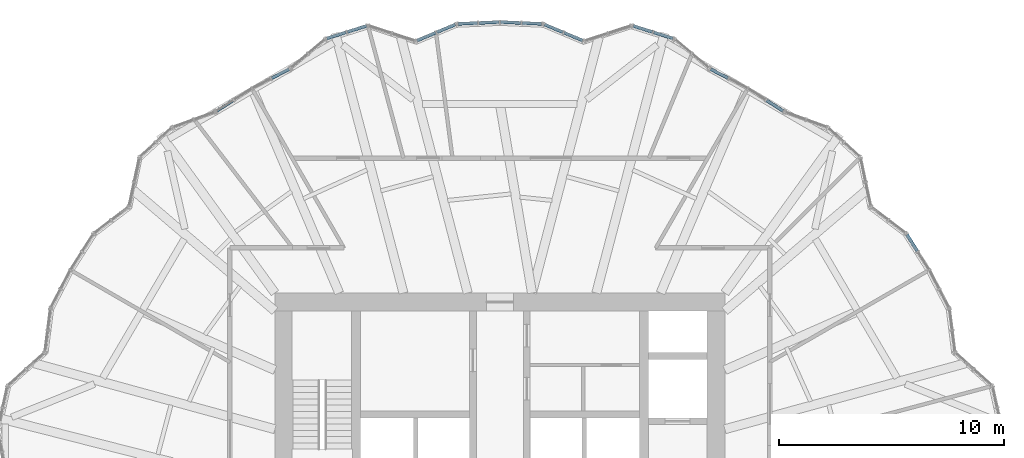
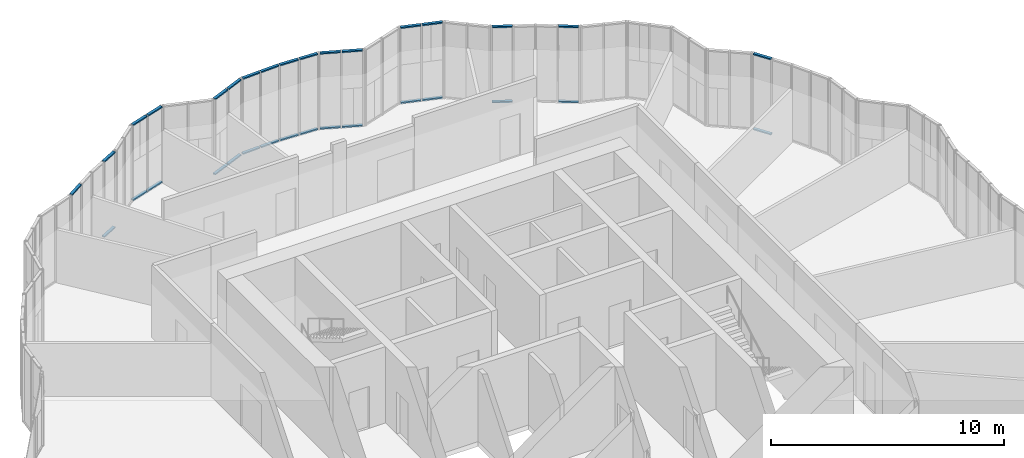
# One storey, part 12 of 23: 33 members, 11 elements without a shape of their own.
"""IFC4 building model written with IfcOpenShell, lengths in metres."""

import ifcopenshell
import ifcopenshell.guid

model = None  # the IFC model being written
_history = None  # IfcOwnerHistory: only IFC2X3 demands one
_inside = {}  # id of a spatial element -> (the spatial element, [elements in it])
_under = {}  # id of a project, library or spatial element -> (it, [spatial elements below it])
_declared = {}  # id of a project -> (the project, [libraries it declares])
_typed = {}  # id of a type object -> (the type object, [elements of that type])
_made_of = {}  # id of a material, layer set ... -> (it, [elements and type objects made of it])


def new_model(schema):
    """Start an empty IFC model of exactly this schema.

    Asked for "IFC4X3", IfcOpenShell would pick the latest addendum, in which some entities
    have other attributes; the version numbers below select the first issue.
    IFC2X3 requires an IfcOwnerHistory on every rooted entity: one is made here for all.
    """
    global model, _history
    if schema == "IFC4X3":
        model = ifcopenshell.file(schema_version=(4, 3, 0, 0))
    else:
        model = ifcopenshell.file(schema=schema)
    _inside.clear()
    _under.clear()
    _declared.clear()
    _typed.clear()
    _made_of.clear()
    _history = None
    if model.schema == "IFC2X3":
        org = make("IfcOrganization", Name="unknown")
        user = make(
            "IfcPersonAndOrganization",
            ThePerson=make("IfcPerson", FamilyName="unknown"),
            TheOrganization=org,
        )
        app = make(
            "IfcApplication",
            ApplicationDeveloper=org,
            Version="unknown",
            ApplicationFullName="unknown",
            ApplicationIdentifier="unknown",
        )
        _history = make(
            "IfcOwnerHistory",
            OwningUser=user,
            OwningApplication=app,
            ChangeAction="ADDED",
            CreationDate=0,
        )
    return model


def make(cls, **values):
    """One entity of the class cls with the attributes given. An attribute that is None is left unset."""
    return model.create_entity(
        cls, **{name: value for name, value in values.items() if value is not None}
    )


def rooted(cls, **values):
    """An entity with a GlobalId (a new one), such as an element, a storey or a relation."""
    return make(cls, GlobalId=ifcopenshell.guid.new(), OwnerHistory=_history, **values)


def si_unit(unit_type, name, prefix=None):
    """IfcSIUnit, for example si_unit("LENGTHUNIT", "METRE", prefix="MILLI")."""
    return make("IfcSIUnit", UnitType=unit_type, Prefix=prefix, Name=name)


def assignment(units):
    """IfcUnitAssignment: the units of a project."""
    return None if units is None else make("IfcUnitAssignment", Units=units)


def point(xyz):
    """IfcCartesianPoint."""
    return None if xyz is None else make("IfcCartesianPoint", Coordinates=xyz)


def direction(xyz):
    """IfcDirection."""
    return None if xyz is None else make("IfcDirection", DirectionRatios=xyz)


def frame(location, z_axis=None, x_axis=None):
    """IfcAxis2Placement3D, a coordinate frame: its origin and axes. An axis left out is left unset."""
    return make(
        "IfcAxis2Placement3D",
        Location=point(location),
        Axis=direction(z_axis),
        RefDirection=direction(x_axis),
    )


def frame_2d(location, x_axis=None):
    """IfcAxis2Placement2D, a coordinate frame in the plane: its origin and x axis."""
    return make(
        "IfcAxis2Placement2D", Location=point(location), RefDirection=direction(x_axis)
    )


def origin():
    """The frame at (0, 0, 0) with its axes left unset."""
    return frame((0.0, 0.0, 0.0))


def origin_2d():
    """The frame at (0, 0) in the plane with its x axis left unset."""
    return frame_2d((0.0, 0.0))


def place(relative_to, where):
    """IfcLocalPlacement: puts the frame where relative to a parent placement (None: the world)."""
    return make(
        "IfcLocalPlacement", PlacementRelTo=relative_to, RelativePlacement=where
    )


def context(
    kind, dimensions, precision=None, world=None, true_north=None, identifier=None
):
    """IfcGeometricRepresentationContext, for example the 3D "Model" context."""
    return make(
        "IfcGeometricRepresentationContext",
        ContextIdentifier=identifier,
        ContextType=kind,
        CoordinateSpaceDimension=dimensions,
        Precision=precision,
        WorldCoordinateSystem=world,
        TrueNorth=true_north,
    )


def subcontext(parent, identifier, kind, view, scale=None):
    """IfcGeometricRepresentationSubContext, for example "Body" below "Model"."""
    return make(
        "IfcGeometricRepresentationSubContext",
        ContextIdentifier=identifier,
        ContextType=kind,
        ParentContext=parent,
        TargetScale=scale,
        TargetView=view,
    )


def project(units=None, contexts=None):
    """IfcProject with its units and contexts."""
    return rooted(
        "IfcProject",
        Name="project",
        RepresentationContexts=contexts,
        UnitsInContext=assignment(units),
    )


def spatial(cls, under=None, at=None, **own):
    """A site, building, storey or space (cls), placed at a placement, below another one or the project."""
    s = rooted(cls, ObjectPlacement=at, **own)
    if under is not None:
        _under.setdefault(under.id(), (under, []))[1].append(s)
    return s


def profile(cls, at=None, kind="AREA", **sizes):
    """A parametric profile (cls). Its sizes go by their IFC names, for example OverallWidth=200.0."""
    return make(cls, ProfileType=kind, Position=at, **sizes)


def rectangle(**sizes):
    """IfcRectangleProfileDef."""
    return profile("IfcRectangleProfileDef", **sizes)


def extrude(swept, where, along, depth):
    """IfcExtrudedAreaSolid: the profile swept, set in the frame where, extruded along a direction by depth."""
    return make(
        "IfcExtrudedAreaSolid",
        SweptArea=swept,
        Position=where,
        ExtrudedDirection=direction(along),
        Depth=depth,
    )


def shape(context_of_items, identifier, shape_type, items):
    """IfcShapeRepresentation: the items that make up one representation, for example the "Body"."""
    return make(
        "IfcShapeRepresentation",
        ContextOfItems=context_of_items,
        RepresentationIdentifier=identifier,
        RepresentationType=shape_type,
        Items=items,
    )


def material(Name=None, Category=None):
    """IfcMaterial."""
    return make("IfcMaterial", Name=Name, Category=Category)


def material_profile(
    of_material, cross_section, Name=None, Category=None, Priority=None
):
    """IfcMaterialProfile: a cross section and its material."""
    return make(
        "IfcMaterialProfile",
        Name=Name,
        Material=of_material,
        Profile=cross_section,
        Priority=Priority,
        Category=Category,
    )


def profile_set(profiles, Name=None, composite=None):
    """IfcMaterialProfileSet."""
    return make(
        "IfcMaterialProfileSet",
        Name=Name,
        MaterialProfiles=profiles,
        CompositeProfile=composite,
    )


def made_of(thing, what):
    """Note that an element or type object is made of a material, layer set ...; save() writes the relation."""
    if what is not None:
        _made_of.setdefault(what.id(), (what, []))[1].append(thing)
    return thing


def type_object(cls, material=None, **own):
    """A type object (cls), such as IfcWallType, which elements share."""
    return made_of(rooted(cls, **own), material)


def element(
    cls,
    number,
    at=None,
    inside=None,
    cuts=None,
    type_object=None,
    material=None,
    context=None,
    identifier="Body",
    shape_type=None,
    held_by="IfcProductDefinitionShape",
    body=None,
    shapes=None,
    **own,
):
    """One element of the class cls, such as IfcWall. Its Tag is "e" and its number.

    at: its placement. inside: the storey or other place that contains it. cuts: it is an
    opening in that element (IfcRelVoidsElement). A single representation is given by context,
    identifier, shape_type and body (its items); several are given by shapes. held_by: the class
    of the entity that holds the representations. save() writes the other relations.
    """
    e = rooted(cls, Tag="e%d" % number, ObjectPlacement=at, **own)
    if body is not None:
        shapes = [shape(context, identifier, shape_type, body)]
    if shapes is not None:
        e.Representation = make(held_by, Representations=shapes)
    if inside is not None:
        _inside.setdefault(inside.id(), (inside, []))[1].append(e)
    if cuts is not None:
        rooted(
            "IfcRelVoidsElement", RelatingBuildingElement=cuts, RelatedOpeningElement=e
        )
    if type_object is not None:
        _typed.setdefault(type_object.id(), (type_object, []))[1].append(e)
    return made_of(e, material)


def aggregate(whole, parts):
    """IfcRelAggregates: a whole, such as a stair, and the parts it consists of."""
    return rooted("IfcRelAggregates", RelatingObject=whole, RelatedObjects=parts)


def save(model, path):
    """Write the relations noted so far, then the file.

    IfcRelAggregates (storeys below a building ...), IfcRelContainedInSpatialStructure (elements
    in a storey), IfcRelDefinesByType, IfcRelAssociatesMaterial and IfcRelDeclares: one each for
    every whole, place, type object, material and project.
    """
    for whole, parts in _under.values():
        aggregate(whole, parts)
    for where, things in _inside.values():
        rooted(
            "IfcRelContainedInSpatialStructure",
            RelatedElements=things,
            RelatingStructure=where,
        )
    for kind, things in _typed.values():
        rooted("IfcRelDefinesByType", RelatedObjects=things, RelatingType=kind)
    for what, things in _made_of.values():
        rooted("IfcRelAssociatesMaterial", RelatedObjects=things, RelatingMaterial=what)
    for by, libraries in _declared.values():
        rooted("IfcRelDeclares", RelatingContext=by, RelatedDefinitions=libraries)
    model.write(path)


model = new_model("IFC4")

# Units and contexts
model_context = context("Model", 3, precision=1e-05, world=origin(), true_north=direction((0.0, 1.0)))
body_context = subcontext(model_context, "Body", "Model", "MODEL_VIEW")
ifc_project = project(units=[si_unit("LENGTHUNIT", "METRE"), si_unit("AREAUNIT", "SQUARE_METRE"), si_unit("VOLUMEUNIT", "CUBIC_METRE"), si_unit("PLANEANGLEUNIT", "RADIAN"), si_unit("MASSUNIT", "GRAM", prefix="KILO")], contexts=[model_context])

# Site, building, storey
site_placement = place(None, origin())
site = spatial("IfcSite", under=ifc_project, at=site_placement, CompositionType="ELEMENT")
building_placement = place(site_placement, origin())
building = spatial("IfcBuilding", under=site, at=building_placement, Name="Golbaran Civic Tower", CompositionType="ELEMENT")
storey_placement = place(building_placement, frame((0.0, 0.0, 33.0)))
storey = spatial("IfcBuildingStorey", under=building, at=storey_placement, Name="L07", CompositionType="ELEMENT", Elevation=33.0)

# Curtain wall, members
ifc_material_1 = material(Name="Aluminium and glass", Category="aluminium")
curtain_wall_type = type_object("IfcCurtainWallType", Name="INNER SKIN CURTAIN WALL", PredefinedType="NOTDEFINED", material=ifc_material_1)
curtain_wall_1_placement = place(storey_placement, origin())
curtain_wall_1 = element("IfcCurtainWall", 1, at=curtain_wall_1_placement, inside=storey, type_object=curtain_wall_type, Name="Inner skin L07 facet 7 CW1", ObjectType="INNER SKIN", PredefinedType="USERDEFINED")
ifc_material_2 = material(Name="Aluminium", Category="aluminium")
ifc_material_profile = material_profile(ifc_material_2, rectangle(XDim=0.139892578125, YDim=0.06494140625, at=origin_2d()), Name="INNER SKIN CURTAIN WALL TRANSOM")
ifc_profile_set = profile_set([ifc_material_profile], Name="Aluminium")
member_type = type_object("IfcMemberType", Name="INNER SKIN CURTAIN WALL TRANSOM", PredefinedType="USERDEFINED", material=ifc_profile_set)
member_1_placement = place(storey_placement, frame((18.557373046875, 11.86083984375, 0.032470703125), z_axis=(-0.537368994021, 0.843347238251, 0.0), x_axis=(-0.843347238251, -0.537368994021, 0.0)))
member_1 = element("IfcMember", 2, at=member_1_placement, type_object=member_type, Name="CW1 transom 2.1", ObjectType="TRANSOM", PredefinedType="USERDEFINED", context=body_context, shape_type="SweptSolid", body=[
    extrude(rectangle(XDim=0.139892578125, YDim=0.06494140625, at=origin_2d()), origin(), (0.0, 0.0, 1.0), 0.864013671875),
])
member_2_placement = place(storey_placement, frame((18.557373046875, 11.86083984375, 3.967529296875), z_axis=(-0.537368994021, 0.843347238251, 0.0), x_axis=(-0.843347238251, -0.537368994021, 0.0)))
member_2 = element("IfcMember", 3, at=member_2_placement, type_object=member_type, Name="CW1 transom 2.2", ObjectType="TRANSOM", PredefinedType="USERDEFINED", context=body_context, shape_type="SweptSolid", body=[
    extrude(rectangle(XDim=0.139892578125, YDim=0.06494140625, at=origin_2d()), origin(), (0.0, 0.0, 1.0), 0.864013671875),
])
aggregate(curtain_wall_1, [member_1, member_2])

curtain_wall_2_placement = place(storey_placement, origin())
curtain_wall_2 = element("IfcCurtainWall", 4, at=curtain_wall_2_placement, inside=storey, type_object=curtain_wall_type, Name="Inner skin L07 facet 12 CW1", ObjectType="INNER SKIN", PredefinedType="USERDEFINED")
member_3_placement = place(storey_placement, frame((12.589599609375, 18.093017578125, 0.032470703125), z_axis=(-0.843347238251, 0.537368994021, 0.0), x_axis=(-0.537368994021, -0.843347238251, 0.0)))
member_3 = element("IfcMember", 5, at=member_3_placement, type_object=member_type, Name="CW1 transom 1.1", ObjectType="TRANSOM", PredefinedType="USERDEFINED", context=body_context, shape_type="SweptSolid", body=[
    extrude(rectangle(XDim=0.139892578125, YDim=0.06494140625, at=origin_2d()), origin(), (0.0, 0.0, 1.0), 0.864013671875),
])
member_4_placement = place(storey_placement, frame((12.589599609375, 18.093017578125, 3.967529296875), z_axis=(-0.843347238251, 0.537368994021, 0.0), x_axis=(-0.537368994021, -0.843347238251, 0.0)))
member_4 = element("IfcMember", 6, at=member_4_placement, type_object=member_type, Name="CW1 transom 1.2", ObjectType="TRANSOM", PredefinedType="USERDEFINED", context=body_context, shape_type="SweptSolid", body=[
    extrude(rectangle(XDim=0.139892578125, YDim=0.06494140625, at=origin_2d()), origin(), (0.0, 0.0, 1.0), 0.864013671875),
])
aggregate(curtain_wall_2, [member_3, member_4])

curtain_wall_3_placement = place(storey_placement, origin())
curtain_wall_3 = element("IfcCurtainWall", 7, at=curtain_wall_3_placement, inside=storey, type_object=curtain_wall_type, Name="Inner skin L07 facet 13 CW1", ObjectType="INNER SKIN", PredefinedType="USERDEFINED")
member_5_placement = place(storey_placement, frame((10.140625, 19.550537109375, 0.032470703125), z_axis=(-0.887017774073, 0.461735279655, 0.0), x_axis=(-0.461735279655, -0.887017774073, 0.0)))
member_5 = element("IfcMember", 8, at=member_5_placement, type_object=member_type, Name="CW1 transom 2.1", ObjectType="TRANSOM", PredefinedType="USERDEFINED", context=body_context, shape_type="SweptSolid", body=[
    extrude(rectangle(XDim=0.139892578125, YDim=0.06494140625, at=origin_2d()), origin(), (0.0, 0.0, 1.0), 0.864013671875),
])
member_6_placement = place(storey_placement, frame((10.140625, 19.550537109375, 3.967529296875), z_axis=(-0.887017774073, 0.461735279655, 0.0), x_axis=(-0.461735279655, -0.887017774073, 0.0)))
member_6 = element("IfcMember", 9, at=member_6_placement, type_object=member_type, Name="CW1 transom 2.2", ObjectType="TRANSOM", PredefinedType="USERDEFINED", context=body_context, shape_type="SweptSolid", body=[
    extrude(rectangle(XDim=0.139892578125, YDim=0.06494140625, at=origin_2d()), origin(), (0.0, 0.0, 1.0), 0.864013671875),
])
aggregate(curtain_wall_3, [member_5, member_6])

curtain_wall_4_placement = place(storey_placement, origin())
curtain_wall_4 = element("IfcCurtainWall", 10, at=curtain_wall_4_placement, inside=storey, type_object=curtain_wall_type, Name="Inner skin L07 facet 15 CW1", ObjectType="INNER SKIN", PredefinedType="USERDEFINED")
member_7_placement = place(storey_placement, frame((7.68994140625, 21.317626953125, 0.032470703125), z_axis=(-0.95368198693, 0.300816668098, 0.0), x_axis=(-0.300816668098, -0.95368198693, 0.0)))
member_7 = element("IfcMember", 11, at=member_7_placement, type_object=member_type, Name="CW1 transom 1.1", ObjectType="TRANSOM", PredefinedType="USERDEFINED", context=body_context, shape_type="SweptSolid", body=[
    extrude(rectangle(XDim=0.139892578125, YDim=0.06494140625, at=origin_2d()), origin(), (0.0, 0.0, 1.0), 0.89111328125),
])
member_8_placement = place(storey_placement, frame((7.68994140625, 21.317626953125, 3.967529296875), z_axis=(-0.95368198693, 0.300816668098, 0.0), x_axis=(-0.300816668098, -0.95368198693, 0.0)))
member_8 = element("IfcMember", 12, at=member_8_placement, type_object=member_type, Name="CW1 transom 1.2", ObjectType="TRANSOM", PredefinedType="USERDEFINED", context=body_context, shape_type="SweptSolid", body=[
    extrude(rectangle(XDim=0.139892578125, YDim=0.06494140625, at=origin_2d()), origin(), (0.0, 0.0, 1.0), 0.89111328125),
])
member_9_placement = place(storey_placement, frame((6.778076171875, 21.605224609375, 0.032470703125), z_axis=(-0.953760557678, 0.300567461009, 0.0), x_axis=(-0.300567461009, -0.953760557678, 0.0)))
member_9 = element("IfcMember", 13, at=member_9_placement, type_object=member_type, Name="CW1 transom 2.1", ObjectType="TRANSOM", PredefinedType="USERDEFINED", context=body_context, shape_type="SweptSolid", body=[
    extrude(rectangle(XDim=0.139892578125, YDim=0.06494140625, at=origin_2d()), origin(), (0.0, 0.0, 1.0), 0.89111328125),
])
member_10_placement = place(storey_placement, frame((6.778076171875, 21.605224609375, 3.967529296875), z_axis=(-0.953760557678, 0.300567461009, 0.0), x_axis=(-0.300567461009, -0.953760557678, 0.0)))
member_10 = element("IfcMember", 14, at=member_10_placement, type_object=member_type, Name="CW1 transom 2.2", ObjectType="TRANSOM", PredefinedType="USERDEFINED", context=body_context, shape_type="SweptSolid", body=[
    extrude(rectangle(XDim=0.139892578125, YDim=0.06494140625, at=origin_2d()), origin(), (0.0, 0.0, 1.0), 0.89111328125),
])
aggregate(curtain_wall_4, [member_7, member_8, member_9, member_10])

curtain_wall_5_placement = place(storey_placement, origin())
curtain_wall_5 = element("IfcCurtainWall", 15, at=curtain_wall_5_placement, inside=storey, type_object=curtain_wall_type, Name="Inner skin L07 facet 17 CW1", ObjectType="INNER SKIN", PredefinedType="USERDEFINED")
member_11_placement = place(storey_placement, frame((3.677978515625, 21.22412109375, 0.032470703125), z_axis=(-0.922162729123, 0.38680214712, 0.0), x_axis=(-0.38680214712, -0.922162729123, 0.0)))
member_11 = element("IfcMember", 16, at=member_11_placement, type_object=member_type, Name="CW1 transom 1.1", ObjectType="TRANSOM", PredefinedType="USERDEFINED", context=body_context, shape_type="SweptSolid", body=[
    extrude(rectangle(XDim=0.139892578125, YDim=0.06494140625, at=origin_2d()), origin(), (0.0, 0.0, 1.0), 0.887451171875),
])
member_12_placement = place(storey_placement, frame((3.677978515625, 21.22412109375, 3.967529296875), z_axis=(-0.922162729123, 0.38680214712, 0.0), x_axis=(-0.38680214712, -0.922162729123, 0.0)))
member_12 = element("IfcMember", 17, at=member_12_placement, type_object=member_type, Name="CW1 transom 1.2", ObjectType="TRANSOM", PredefinedType="USERDEFINED", context=body_context, shape_type="SweptSolid", body=[
    extrude(rectangle(XDim=0.139892578125, YDim=0.06494140625, at=origin_2d()), origin(), (0.0, 0.0, 1.0), 0.887451171875),
])
member_13_placement = place(storey_placement, frame((2.799560546875, 21.592529296875, 0.032470703125), z_axis=(-0.922064580305, 0.387036057425, 0.0), x_axis=(-0.387036057425, -0.922064580305, 0.0)))
member_13 = element("IfcMember", 18, at=member_13_placement, type_object=member_type, Name="CW1 transom 2.1", ObjectType="TRANSOM", PredefinedType="USERDEFINED", context=body_context, shape_type="SweptSolid", body=[
    extrude(rectangle(XDim=0.139892578125, YDim=0.06494140625, at=origin_2d()), origin(), (0.0, 0.0, 1.0), 0.887451171875),
])
member_14_placement = place(storey_placement, frame((2.799560546875, 21.592529296875, 3.967529296875), z_axis=(-0.922064580305, 0.387036057425, 0.0), x_axis=(-0.387036057425, -0.922064580305, 0.0)))
member_14 = element("IfcMember", 19, at=member_14_placement, type_object=member_type, Name="CW1 transom 2.2", ObjectType="TRANSOM", PredefinedType="USERDEFINED", context=body_context, shape_type="SweptSolid", body=[
    extrude(rectangle(XDim=0.139892578125, YDim=0.06494140625, at=origin_2d()), origin(), (0.0, 0.0, 1.0), 0.887451171875),
])
aggregate(curtain_wall_5, [member_11, member_12, member_13, member_14])

curtain_wall_6_placement = place(storey_placement, origin())
curtain_wall_6 = element("IfcCurtainWall", 20, at=curtain_wall_6_placement, inside=storey, type_object=curtain_wall_type, Name="Inner skin L07 facet 18 CW1", ObjectType="INNER SKIN", PredefinedType="USERDEFINED")
member_15_placement = place(storey_placement, frame((1.8564453125, 21.9638671875, 0.032470703125), z_axis=(-0.999040635668, 0.043792788045, 0.0), x_axis=(-0.043792788045, -0.999040635668, 0.0)))
member_15 = element("IfcMember", 21, at=member_15_placement, type_object=member_type, Name="CW1 transom 1.1", ObjectType="TRANSOM", PredefinedType="USERDEFINED", context=body_context, shape_type="SweptSolid", body=[
    extrude(rectangle(XDim=0.139892578125, YDim=0.06494140625, at=origin_2d()), origin(), (0.0, 0.0, 1.0), 0.864013671875),
])
member_16_placement = place(storey_placement, frame((1.8564453125, 21.9638671875, 3.967529296875), z_axis=(-0.999040635668, 0.043792788045, 0.0), x_axis=(-0.043792788045, -0.999040635668, 0.0)))
member_16 = element("IfcMember", 22, at=member_16_placement, type_object=member_type, Name="CW1 transom 1.2", ObjectType="TRANSOM", PredefinedType="USERDEFINED", context=body_context, shape_type="SweptSolid", body=[
    extrude(rectangle(XDim=0.139892578125, YDim=0.06494140625, at=origin_2d()), origin(), (0.0, 0.0, 1.0), 0.864013671875),
])
member_17_placement = place(storey_placement, frame((0.92822265625, 22.00439453125, 0.032470703125), z_axis=(-0.999038609798, 0.043838979607, 0.0), x_axis=(-0.043838979607, -0.999038609798, 0.0)))
member_17 = element("IfcMember", 23, at=member_17_placement, type_object=member_type, Name="CW1 transom 2.1", ObjectType="TRANSOM", PredefinedType="USERDEFINED", context=body_context, shape_type="SweptSolid", body=[
    extrude(rectangle(XDim=0.139892578125, YDim=0.06494140625, at=origin_2d()), origin(), (0.0, 0.0, 1.0), 0.896728515625),
])
member_18_placement = place(storey_placement, frame((0.92822265625, 22.00439453125, 3.967529296875), z_axis=(-0.999038609798, 0.043838979607, 0.0), x_axis=(-0.043838979607, -0.999038609798, 0.0)))
member_18 = element("IfcMember", 24, at=member_18_placement, type_object=member_type, Name="CW1 transom 2.2", ObjectType="TRANSOM", PredefinedType="USERDEFINED", context=body_context, shape_type="SweptSolid", body=[
    extrude(rectangle(XDim=0.139892578125, YDim=0.06494140625, at=origin_2d()), origin(), (0.0, 0.0, 1.0), 0.896728515625),
])
aggregate(curtain_wall_6, [member_15, member_16, member_17, member_18])

curtain_wall_7_placement = place(storey_placement, origin())
curtain_wall_7 = element("IfcCurtainWall", 25, at=curtain_wall_7_placement, inside=storey, type_object=curtain_wall_type, Name="Inner skin L07 facet 19 CW1", ObjectType="INNER SKIN", PredefinedType="USERDEFINED")
member_19_placement = place(storey_placement, frame((-0.032470703125, 22.043701171875, 0.032470703125), z_axis=(-0.999038609798, -0.043838979607, 0.0), x_axis=(0.043838979607, -0.999038609798, 0.0)))
member_19 = element("IfcMember", 26, at=member_19_placement, type_object=member_type, Name="CW1 transom 1.1", ObjectType="TRANSOM", PredefinedType="USERDEFINED", context=body_context, shape_type="SweptSolid", body=[
    extrude(rectangle(XDim=0.139892578125, YDim=0.06494140625, at=origin_2d()), origin(), (0.0, 0.0, 1.0), 0.896728515625),
])
member_20_placement = place(storey_placement, frame((-0.032470703125, 22.043701171875, 3.967529296875), z_axis=(-0.999038609798, -0.043838979607, 0.0), x_axis=(0.043838979607, -0.999038609798, 0.0)))
member_20 = element("IfcMember", 27, at=member_20_placement, type_object=member_type, Name="CW1 transom 1.2", ObjectType="TRANSOM", PredefinedType="USERDEFINED", context=body_context, shape_type="SweptSolid", body=[
    extrude(rectangle(XDim=0.139892578125, YDim=0.06494140625, at=origin_2d()), origin(), (0.0, 0.0, 1.0), 0.896728515625),
])
member_21_placement = place(storey_placement, frame((-0.9931640625, 22.001708984375, 0.032470703125), z_axis=(-0.999040635668, -0.043792788045, 0.0), x_axis=(0.043792788045, -0.999040635668, 0.0)))
member_21 = element("IfcMember", 28, at=member_21_placement, type_object=member_type, Name="CW1 transom 2.1", ObjectType="TRANSOM", PredefinedType="USERDEFINED", context=body_context, shape_type="SweptSolid", body=[
    extrude(rectangle(XDim=0.139892578125, YDim=0.06494140625, at=origin_2d()), origin(), (0.0, 0.0, 1.0), 0.864013671875),
])
member_22_placement = place(storey_placement, frame((-0.9931640625, 22.001708984375, 3.967529296875), z_axis=(-0.999040635668, -0.043792788045, 0.0), x_axis=(0.043792788045, -0.999040635668, 0.0)))
member_22 = element("IfcMember", 29, at=member_22_placement, type_object=member_type, Name="CW1 transom 2.2", ObjectType="TRANSOM", PredefinedType="USERDEFINED", context=body_context, shape_type="SweptSolid", body=[
    extrude(rectangle(XDim=0.139892578125, YDim=0.06494140625, at=origin_2d()), origin(), (0.0, 0.0, 1.0), 0.864013671875),
])
aggregate(curtain_wall_7, [member_19, member_20, member_21, member_22])

curtain_wall_8_placement = place(storey_placement, origin())
curtain_wall_8 = element("IfcCurtainWall", 30, at=curtain_wall_8_placement, inside=storey, type_object=curtain_wall_type, Name="Inner skin L07 facet 20 CW1", ObjectType="INNER SKIN", PredefinedType="USERDEFINED")
member_23_placement = place(storey_placement, frame((-1.981201171875, 21.93603515625, 0.032470703125), z_axis=(-0.922064580305, -0.387036057425, 0.0), x_axis=(0.387036057425, -0.922064580305, 0.0)))
member_23 = element("IfcMember", 31, at=member_23_placement, type_object=member_type, Name="CW1 transom 1.1", ObjectType="TRANSOM", PredefinedType="USERDEFINED", context=body_context, shape_type="SweptSolid", body=[
    extrude(rectangle(XDim=0.139892578125, YDim=0.06494140625, at=origin_2d()), origin(), (0.0, 0.0, 1.0), 0.887451171875),
])
member_24_placement = place(storey_placement, frame((-1.981201171875, 21.93603515625, 3.967529296875), z_axis=(-0.922064580305, -0.387036057425, 0.0), x_axis=(0.387036057425, -0.922064580305, 0.0)))
member_24 = element("IfcMember", 32, at=member_24_placement, type_object=member_type, Name="CW1 transom 1.2", ObjectType="TRANSOM", PredefinedType="USERDEFINED", context=body_context, shape_type="SweptSolid", body=[
    extrude(rectangle(XDim=0.139892578125, YDim=0.06494140625, at=origin_2d()), origin(), (0.0, 0.0, 1.0), 0.887451171875),
])
member_25_placement = place(storey_placement, frame((-2.859619140625, 21.5673828125, 0.032470703125), z_axis=(-0.922162729123, -0.38680214712, 0.0), x_axis=(0.38680214712, -0.922162729123, 0.0)))
member_25 = element("IfcMember", 33, at=member_25_placement, type_object=member_type, Name="CW1 transom 2.1", ObjectType="TRANSOM", PredefinedType="USERDEFINED", context=body_context, shape_type="SweptSolid", body=[
    extrude(rectangle(XDim=0.139892578125, YDim=0.06494140625, at=origin_2d()), origin(), (0.0, 0.0, 1.0), 0.887451171875),
])
member_26_placement = place(storey_placement, frame((-2.859619140625, 21.5673828125, 3.967529296875), z_axis=(-0.922162729123, -0.38680214712, 0.0), x_axis=(0.38680214712, -0.922162729123, 0.0)))
member_26 = element("IfcMember", 34, at=member_26_placement, type_object=member_type, Name="CW1 transom 2.2", ObjectType="TRANSOM", PredefinedType="USERDEFINED", context=body_context, shape_type="SweptSolid", body=[
    extrude(rectangle(XDim=0.139892578125, YDim=0.06494140625, at=origin_2d()), origin(), (0.0, 0.0, 1.0), 0.887451171875),
])
aggregate(curtain_wall_8, [member_23, member_24, member_25, member_26])

curtain_wall_9_placement = place(storey_placement, origin())
curtain_wall_9 = element("IfcCurtainWall", 35, at=curtain_wall_9_placement, inside=storey, type_object=curtain_wall_type, Name="Inner skin L07 facet 22 CW1", ObjectType="INNER SKIN", PredefinedType="USERDEFINED")
member_27_placement = place(storey_placement, frame((-5.92822265625, 21.873046875, 0.032470703125), z_axis=(-0.953760557678, -0.300567461009, 0.0), x_axis=(0.300567461009, -0.953760557678, 0.0)))
member_27 = element("IfcMember", 36, at=member_27_placement, type_object=member_type, Name="CW1 transom 1.1", ObjectType="TRANSOM", PredefinedType="USERDEFINED", context=body_context, shape_type="SweptSolid", body=[
    extrude(rectangle(XDim=0.139892578125, YDim=0.06494140625, at=origin_2d()), origin(), (0.0, 0.0, 1.0), 0.89111328125),
])
member_28_placement = place(storey_placement, frame((-5.92822265625, 21.873046875, 3.967529296875), z_axis=(-0.953760557678, -0.300567461009, 0.0), x_axis=(0.300567461009, -0.953760557678, 0.0)))
member_28 = element("IfcMember", 37, at=member_28_placement, type_object=member_type, Name="CW1 transom 1.2", ObjectType="TRANSOM", PredefinedType="USERDEFINED", context=body_context, shape_type="SweptSolid", body=[
    extrude(rectangle(XDim=0.139892578125, YDim=0.06494140625, at=origin_2d()), origin(), (0.0, 0.0, 1.0), 0.89111328125),
])
member_29_placement = place(storey_placement, frame((-6.840087890625, 21.585693359375, 0.032470703125), z_axis=(-0.95368198693, -0.300816668098, 0.0), x_axis=(0.300816668098, -0.95368198693, 0.0)))
member_29 = element("IfcMember", 38, at=member_29_placement, type_object=member_type, Name="CW1 transom 2.1", ObjectType="TRANSOM", PredefinedType="USERDEFINED", context=body_context, shape_type="SweptSolid", body=[
    extrude(rectangle(XDim=0.139892578125, YDim=0.06494140625, at=origin_2d()), origin(), (0.0, 0.0, 1.0), 0.89111328125),
])
member_30_placement = place(storey_placement, frame((-6.840087890625, 21.585693359375, 3.967529296875), z_axis=(-0.95368198693, -0.300816668098, 0.0), x_axis=(0.300816668098, -0.95368198693, 0.0)))
member_30 = element("IfcMember", 39, at=member_30_placement, type_object=member_type, Name="CW1 transom 2.2", ObjectType="TRANSOM", PredefinedType="USERDEFINED", context=body_context, shape_type="SweptSolid", body=[
    extrude(rectangle(XDim=0.139892578125, YDim=0.06494140625, at=origin_2d()), origin(), (0.0, 0.0, 1.0), 0.89111328125),
])
aggregate(curtain_wall_9, [member_27, member_28, member_29, member_30])

curtain_wall_10_placement = place(storey_placement, origin())
curtain_wall_10 = element("IfcCurtainWall", 40, at=curtain_wall_10_placement, inside=storey, type_object=curtain_wall_type, Name="Inner skin L07 facet 24 CW1", ObjectType="INNER SKIN", PredefinedType="USERDEFINED")
member_31_placement = place(storey_placement, frame((-9.374267578125, 19.949462890625, 0.032470703125), z_axis=(-0.887017774073, -0.461735279655, 0.0), x_axis=(0.461735279655, -0.887017774073, 0.0)))
member_31 = element("IfcMember", 41, at=member_31_placement, type_object=member_type, Name="CW1 transom 1.1", ObjectType="TRANSOM", PredefinedType="USERDEFINED", context=body_context, shape_type="SweptSolid", body=[
    extrude(rectangle(XDim=0.139892578125, YDim=0.06494140625, at=origin_2d()), origin(), (0.0, 0.0, 1.0), 0.864013671875),
])
member_32_placement = place(storey_placement, frame((-9.374267578125, 19.949462890625, 3.967529296875), z_axis=(-0.887017774073, -0.461735279655, 0.0), x_axis=(0.461735279655, -0.887017774073, 0.0)))
member_32 = element("IfcMember", 42, at=member_32_placement, type_object=member_type, Name="CW1 transom 1.2", ObjectType="TRANSOM", PredefinedType="USERDEFINED", context=body_context, shape_type="SweptSolid", body=[
    extrude(rectangle(XDim=0.139892578125, YDim=0.06494140625, at=origin_2d()), origin(), (0.0, 0.0, 1.0), 0.864013671875),
])
aggregate(curtain_wall_10, [member_31, member_32])

# Curtain wall, member
curtain_wall_11_placement = place(storey_placement, origin())
curtain_wall_11 = element("IfcCurtainWall", 43, at=curtain_wall_11_placement, inside=storey, type_object=curtain_wall_type, Name="Inner skin L07 facet 25 CW1", ObjectType="INNER SKIN", PredefinedType="USERDEFINED")
member_33_placement = place(storey_placement, frame((-11.86083984375, 18.557373046875, 3.967529296875), z_axis=(-0.843347238251, -0.537368994021, 0.0), x_axis=(0.537368994021, -0.843347238251, 0.0)))
member_33 = element("IfcMember", 44, at=member_33_placement, type_object=member_type, Name="CW1 transom 2.2", ObjectType="TRANSOM", PredefinedType="USERDEFINED", context=body_context, shape_type="SweptSolid", body=[
    extrude(rectangle(XDim=0.139892578125, YDim=0.06494140625, at=origin_2d()), origin(), (0.0, 0.0, 1.0), 0.864013671875),
])
aggregate(curtain_wall_11, [member_33])

save(model, "model.ifc")
